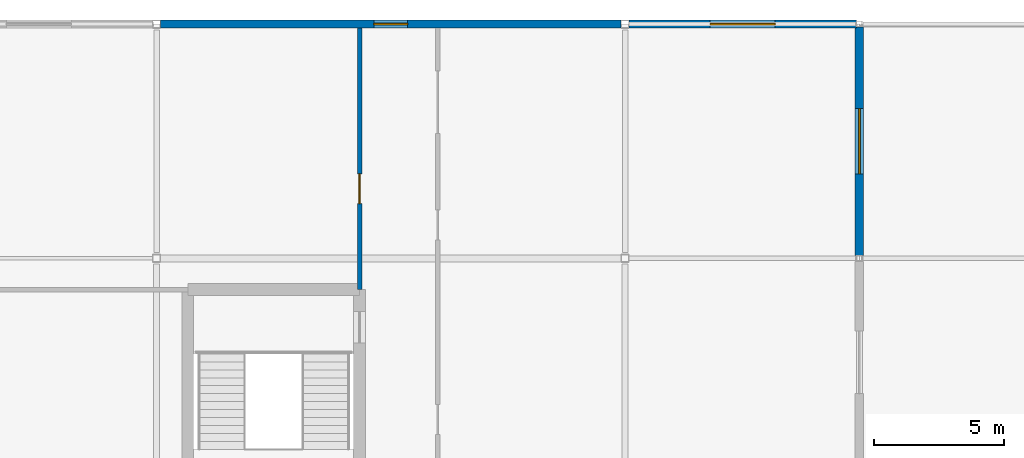
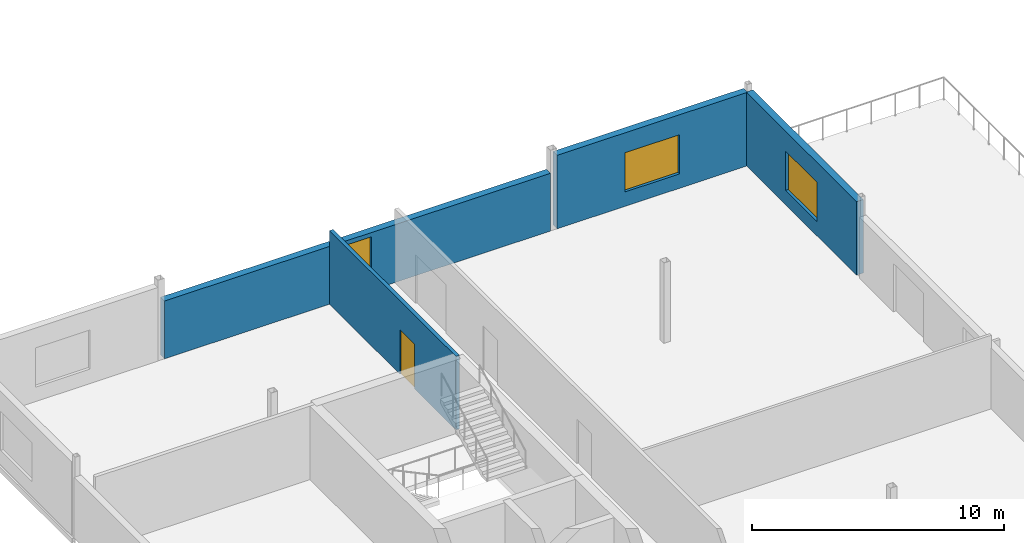
# One storey, part 30 of 55: 4 walls, 3 windows, 1 door, 4 openings.
"""IFC4 building model written with IfcOpenShell, lengths in metres."""

from ifc_helpers import new_model, si_unit, direction, frame, frame_2d, origin, place, context, subcontext, project, spatial, rectangle, extrude, material, layer, layer_set, type_object, element, fill, save


model = new_model("IFC4")

# Units and contexts
model_context = context("Model", 3, precision=1e-05, world=origin(), true_north=direction((0.0, 1.0)))
body_context = subcontext(model_context, "Body", "Model", "MODEL_VIEW")
ifc_project = project(units=[si_unit("LENGTHUNIT", "METRE"), si_unit("AREAUNIT", "SQUARE_METRE"), si_unit("VOLUMEUNIT", "CUBIC_METRE"), si_unit("PLANEANGLEUNIT", "RADIAN"), si_unit("MASSUNIT", "GRAM", prefix="KILO")], contexts=[model_context])

# Site, building, storey
site_placement = place(None, origin())
site = spatial("IfcSite", under=ifc_project, at=site_placement, CompositionType="ELEMENT")
building_placement = place(site_placement, origin())
building = spatial("IfcBuilding", under=site, at=building_placement, Name="Kisiwana Market Hall", CompositionType="ELEMENT")
storey_placement = place(building_placement, frame((0.0, 0.0, 37.800048828125)))
storey = spatial("IfcBuildingStorey", under=building, at=storey_placement, Name="L08", CompositionType="ELEMENT", Elevation=37.800048828125)

# Wall, opening, door
ifc_material_1 = material(Name="Masonry blockwork", Category="masonry")
ifc_layer_1 = layer(ifc_material_1, 0.169921875, Name="Protected corridor partition")
ifc_layer_set_1 = layer_set([ifc_layer_1], Name="WL-CORR-170")
wall_type_1 = type_object("IfcWallType", Name="WL-CORR-170", PredefinedType="PARTITIONING", material=ifc_layer_set_1)
wall_1_placement = place(storey_placement, frame((16.800048828125, 100.800048828125, 0.0), z_axis=(0.0, 0.0, 1.0), x_axis=(0.0, 1.0, 0.0)))
wall_1 = element("IfcWall", 1, at=wall_1_placement, inside=storey, type_object=wall_type_1, Name="Interior partition W-2396", PredefinedType="PARTITIONING", context=body_context, shape_type="SweptSolid", body=[
    extrude(rectangle(XDim=10.054931640625, YDim=0.169921875, at=frame_2d((5.02734375, 0.0))), origin(), (0.0, 0.0, 1.0), 3.56494140625),
])
opening_1_placement = place(wall_1_placement, frame((3.300048828125, 0.0, 0.0)))
opening_1 = element("IfcOpeningElement", 2, at=opening_1_placement, cuts=wall_1, Name="Opening DR-L08-030", PredefinedType="OPENING", context=body_context, shape_type="SweptSolid", body=[
    extrude(rectangle(XDim=1.14990234375, YDim=2.14990234375, at=frame_2d((0.574951171875, 1.074951171875))), frame((0.0, 0.096923828125, 0.0), z_axis=(0.0, -1.0, 0.0), x_axis=(1.0, 0.0, 0.0)), (0.0, 0.0, 1.0), 0.19384765625),
])
ifc_material_2 = material(Name="Aluminium alloy 6063-T6", Category="aluminium")
door_type = type_object("IfcDoorType", Name="DR-MEET-1150", OperationType="NOTDEFINED", PredefinedType="DOOR", material=ifc_material_2)
door_placement = place(opening_1_placement, origin())
door = element("IfcDoor", 3, at=door_placement, inside=storey, type_object=door_type, Name="L08 W Corner Office Suite North Door", OperationType="SINGLE_SWING_LEFT", OverallHeight=2.14990234375, OverallWidth=1.14990234375, PredefinedType="DOOR", context=body_context, shape_type="SweptSolid", body=[
    extrude(rectangle(XDim=1.14990234375, YDim=2.14990234375, at=frame_2d((0.574951171875, 1.074951171875))), frame((0.0, 0.02490234375, 0.0), z_axis=(0.0, -1.0, 0.0), x_axis=(1.0, 0.0, 0.0)), (0.0, 0.0, 1.0), 0.050048828125),
])
fill(opening_1, door)

# Wall, opening, window
ifc_material_3 = material(Name="Concrete C40/50 precast", Category="concrete")
ifc_layer_2 = layer(ifc_material_3, 0.31494140625)
ifc_layer_set_2 = layer_set([ifc_layer_2], Name="WL-EXT-315")
wall_type_2 = type_object("IfcWallType", Name="WL-EXT-315", PredefinedType="STANDARD", material=ifc_layer_set_2)
wall_2_placement = place(storey_placement, frame((9.15380859375, 111.0, 0.0), z_axis=(0.0, 0.0, 1.0), x_axis=(1.0, 0.0, 0.0)))
wall_2 = element("IfcWall", 4, at=wall_2_placement, inside=storey, type_object=wall_type_2, Name="Exterior wall W-2351", PredefinedType="STANDARD", context=body_context, shape_type="SweptSolid", body=[
    extrude(rectangle(XDim=17.6923828125, YDim=0.31494140625, at=frame_2d((8.84619140625, 0.0))), origin(), (0.0, 0.0, 1.0), 2.802734375),
])
opening_2_placement = place(wall_2_placement, frame((8.1962890625, 0.0, 0.699951171875)))
opening_2 = element("IfcOpeningElement", 5, at=opening_2_placement, cuts=wall_2, Name="Opening WN-08", PredefinedType="OPENING", context=body_context, shape_type="SweptSolid", body=[
    extrude(rectangle(XDim=1.300048828125, YDim=1.89990234375, at=frame_2d((0.64990234375, 0.949951171875))), frame((0.0, 0.16943359375, 0.0), z_axis=(0.0, -1.0, 0.0), x_axis=(1.0, 0.0, 0.0)), (0.0, 0.0, 1.0), 0.3388671875),
])
ifc_material_4 = material(Name="Double-glazed solar-control low-E IGU", Category="glass")
window_type_1 = type_object("IfcWindowType", Name="WN-OFFB-1300x1900", PartitioningType="SINGLE_PANEL", PredefinedType="WINDOW", material=ifc_material_4)
window_1_placement = place(opening_2_placement, origin())
window_1 = element("IfcWindow", 6, at=window_1_placement, inside=storey, type_object=window_type_1, Name="Exterior window WN-229", OverallHeight=1.89990234375, OverallWidth=1.300048828125, PartitioningType="SINGLE_PANEL", PredefinedType="WINDOW", context=body_context, shape_type="SweptSolid", body=[
    extrude(rectangle(XDim=1.300048828125, YDim=1.89990234375, at=frame_2d((0.64990234375, 0.949951171875))), frame((0.0, 0.030029296875, 0.0), z_axis=(0.0, -1.0, 0.0), x_axis=(1.0, 0.0, 0.0)), (0.0, 0.0, 1.0), 0.06005859375),
])
fill(opening_2, window_1)

wall_3_placement = place(storey_placement, frame((27.15380859375, 111.0, 0.0), z_axis=(0.0, 0.0, 1.0), x_axis=(1.0, 0.0, 0.0)))
wall_3 = element("IfcWall", 7, at=wall_3_placement, inside=storey, type_object=wall_type_2, Name="Exterior wall W-2352", PredefinedType="STANDARD", context=body_context, shape_type="SweptSolid", body=[
    extrude(rectangle(XDim=8.731201171875, YDim=0.31494140625, at=frame_2d((4.36572265625, 0.0))), origin(), (0.0, 0.0, 1.0), 3.56494140625),
])
opening_3_placement = place(wall_3_placement, frame((3.115478515625, 0.0, 0.699951171875)))
opening_3 = element("IfcOpeningElement", 8, at=opening_3_placement, cuts=wall_3, Name="Opening WN-17", PredefinedType="OPENING", context=body_context, shape_type="SweptSolid", body=[
    extrude(rectangle(XDim=2.5, YDim=1.89990234375, at=frame_2d((1.25, 0.949951171875))), frame((0.0, 0.16943359375, 0.0), z_axis=(0.0, -1.0, 0.0), x_axis=(1.0, 0.0, 0.0)), (0.0, 0.0, 1.0), 0.3388671875),
])
ifc_material_5 = material(Name="Double-glazed solar-control low-E IGU", Category="glass")
window_type_2 = type_object("IfcWindowType", Name="WN-OFFB-2500x1900", PartitioningType="SINGLE_PANEL", PredefinedType="WINDOW", material=ifc_material_5)
window_2_placement = place(opening_3_placement, origin())
window_2 = element("IfcWindow", 9, at=window_2_placement, inside=storey, type_object=window_type_2, Name="Exterior window WN-250", OverallHeight=1.89990234375, OverallWidth=2.5, PartitioningType="SINGLE_PANEL", PredefinedType="WINDOW", context=body_context, shape_type="SweptSolid", body=[
    extrude(rectangle(XDim=2.5, YDim=1.89990234375, at=frame_2d((1.25, 0.949951171875))), frame((0.0, 0.030029296875, 0.0), z_axis=(0.0, -1.0, 0.0), x_axis=(1.0, 0.0, 0.0)), (0.0, 0.0, 1.0), 0.06005859375),
])
fill(opening_3, window_2)

wall_4_placement = place(storey_placement, frame((36.0, 102.114990234375, 0.0), z_axis=(0.0, 0.0, 1.0), x_axis=(0.0, 1.0, 0.0)))
wall_4 = element("IfcWall", 10, at=wall_4_placement, inside=storey, type_object=wall_type_2, Name="Exterior wall W-2366", PredefinedType="STANDARD", context=body_context, shape_type="SweptSolid", body=[
    extrude(rectangle(XDim=8.77001953125, YDim=0.31494140625, at=frame_2d((4.385009765625, 0.0))), origin(), (0.0, 0.0, 1.0), 3.56494140625),
])
opening_4_placement = place(wall_4_placement, frame((3.135009765625, 0.0, 0.699951171875)))
opening_4 = element("IfcOpeningElement", 11, at=opening_4_placement, cuts=wall_4, Name="Opening WN-17", PredefinedType="OPENING", context=body_context, shape_type="SweptSolid", body=[
    extrude(rectangle(XDim=2.5, YDim=1.89990234375, at=frame_2d((1.25, 0.949951171875))), frame((0.0, 0.16943359375, 0.0), z_axis=(0.0, -1.0, 0.0), x_axis=(1.0, 0.0, 0.0)), (0.0, 0.0, 1.0), 0.3388671875),
])
window_3_placement = place(opening_4_placement, origin())
window_3 = element("IfcWindow", 12, at=window_3_placement, inside=storey, type_object=window_type_2, Name="Exterior window WN-254", OverallHeight=1.89990234375, OverallWidth=2.5, PartitioningType="SINGLE_PANEL", PredefinedType="WINDOW", context=body_context, shape_type="SweptSolid", body=[
    extrude(rectangle(XDim=2.5, YDim=1.89990234375, at=frame_2d((1.25, 0.949951171875))), frame((0.0, 0.030029296875, 0.0), z_axis=(0.0, -1.0, 0.0), x_axis=(1.0, 0.0, 0.0)), (0.0, 0.0, 1.0), 0.06005859375),
])
fill(opening_4, window_3)

save(model, "model.ifc")
